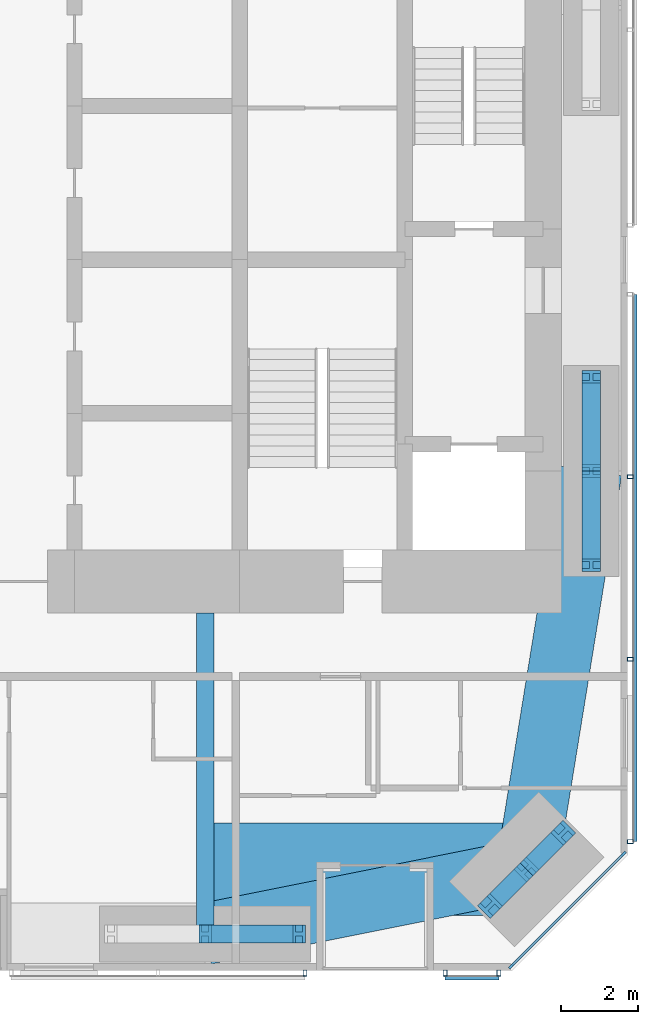
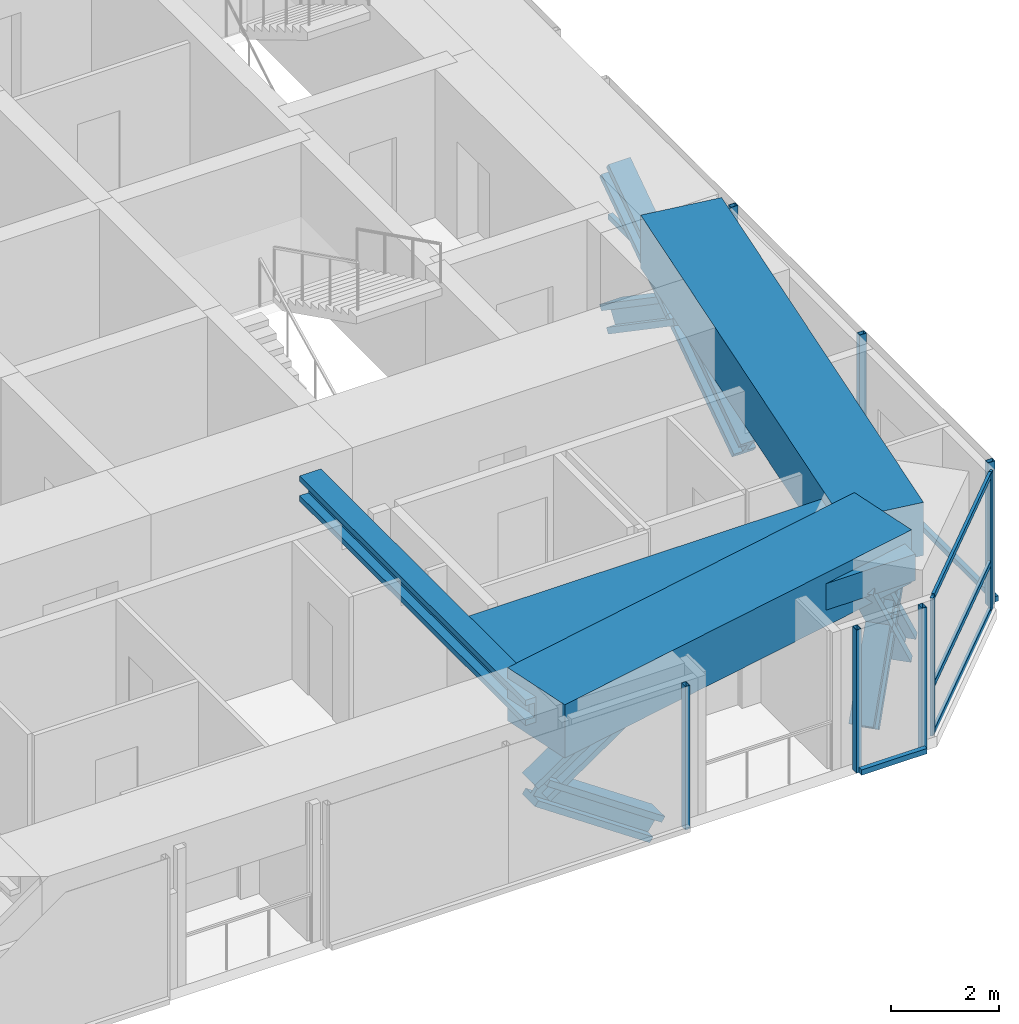
# One storey, part 9 of 24: 23 members, 4 beams, 4 elements without a shape of their own.
"""IFC4 building model written with IfcOpenShell, lengths in metres."""

from ifc_helpers import new_model, si_unit, direction, frame, origin, origin_2d, place, context, subcontext, project, spatial, rectangle, hollow_rectangle, i_section, extrude, material, material_profile, profile_set, type_object, element, aggregate, save


model = new_model("IFC4")

# Units and contexts
model_context = context("Model", 3, precision=1e-05, world=origin(), true_north=direction((0.0, 1.0)))
body_context = subcontext(model_context, "Body", "Model", "MODEL_VIEW")
ifc_project = project(units=[si_unit("LENGTHUNIT", "METRE"), si_unit("AREAUNIT", "SQUARE_METRE"), si_unit("VOLUMEUNIT", "CUBIC_METRE"), si_unit("PLANEANGLEUNIT", "RADIAN"), si_unit("MASSUNIT", "GRAM", prefix="KILO")], contexts=[model_context])

# Site, building, storey
site_placement = place(None, origin())
site = spatial("IfcSite", under=ifc_project, at=site_placement, CompositionType="ELEMENT")
building_placement = place(site_placement, origin())
building = spatial("IfcBuilding", under=site, at=building_placement, Name="Jalousie Tower", CompositionType="ELEMENT")
storey_placement = place(building_placement, frame((0.0, 0.0, 57.85009765625)))
storey = spatial("IfcBuildingStorey", under=building, at=storey_placement, Name="L15", CompositionType="ELEMENT", Elevation=57.85009765625)

# Curtain wall, members
ifc_material_1 = material(Name="Aluminium curtain wall", Category="aluminium")
curtain_wall_type_1 = type_object("IfcCurtainWallType", Name="CORNER WINDOW WALL", PredefinedType="USERDEFINED", material=ifc_material_1)
curtain_wall_1_placement = place(storey_placement, origin())
curtain_wall_1 = element("IfcCurtainWall", 1, at=curtain_wall_1_placement, inside=storey, type_object=curtain_wall_type_1, Name="Corner Window Wall L15 2", ObjectType="CORNER WINDOW WALL", PredefinedType="USERDEFINED")
ifc_material_2 = material(Name="Aluminium mullion", Category="aluminium")
ifc_material_profile_1 = material_profile(ifc_material_2, rectangle(XDim=0.06005859375, YDim=0.14990234375, at=origin_2d()), Name="MULLION 60x150")
ifc_profile_set_1 = profile_set([ifc_material_profile_1], Name="Aluminium mullion")
member_type_1 = type_object("IfcMemberType", Name="CORNER WINDOW WALL MULLION", PredefinedType="MULLION", material=ifc_profile_set_1)
member_1_placement = place(storey_placement, frame((42.969970703125, 0.108642578125, 0.0), z_axis=(0.0, 0.0, 1.0), x_axis=(-0.707106781187, 0.707106781187, 0.0)))
member_1 = element("IfcMember", 2, at=member_1_placement, type_object=member_type_1, Name="CW-C mullion 1", PredefinedType="MULLION", context=body_context, shape_type="SweptSolid", body=[
    extrude(rectangle(XDim=0.06005859375, YDim=0.14990234375, at=origin_2d()), origin(), (0.0, 0.0, 1.0), 3.10986328125),
])
member_2_placement = place(storey_placement, frame((45.891357421875, 3.030029296875, 0.0), z_axis=(0.0, 0.0, 1.0), x_axis=(-0.707106781187, 0.707106781187, 0.0)))
member_2 = element("IfcMember", 3, at=member_2_placement, type_object=member_type_1, Name="CW-C mullion 2", PredefinedType="MULLION", context=body_context, shape_type="SweptSolid", body=[
    extrude(rectangle(XDim=0.06005859375, YDim=0.14990234375, at=origin_2d()), origin(), (0.0, 0.0, 1.0), 3.10986328125),
])
ifc_material_3 = material(Name="Aluminium transom", Category="aluminium")
ifc_material_profile_2 = material_profile(ifc_material_3, rectangle(XDim=0.06005859375, YDim=0.1201171875, at=origin_2d()), Name="TRANSOM 60x120")
ifc_profile_set_2 = profile_set([ifc_material_profile_2], Name="Aluminium transom")
member_type_2 = type_object("IfcMemberType", Name="CORNER WINDOW WALL TRANSOM", PredefinedType="USERDEFINED", material=ifc_profile_set_2)
member_3_placement = place(storey_placement, frame((42.9912109375, 0.1298828125, 0.02978515625), z_axis=(0.707106781187, 0.707106781187, 0.0), x_axis=(-0.707106781187, 0.707106781187, 0.0)))
member_3 = element("IfcMember", 4, at=member_3_placement, type_object=member_type_2, Name="CW-C transom 1.1", ObjectType="TRANSOM", PredefinedType="USERDEFINED", context=body_context, shape_type="SweptSolid", body=[
    extrude(rectangle(XDim=0.06005859375, YDim=0.1201171875, at=origin_2d()), origin(), (0.0, 0.0, 1.0), 4.0712890625),
])
member_4_placement = place(storey_placement, frame((42.9912109375, 0.1298828125, 1.099853515625), z_axis=(0.707106781187, 0.707106781187, 0.0), x_axis=(-0.707106781187, 0.707106781187, 0.0)))
member_4 = element("IfcMember", 5, at=member_4_placement, type_object=member_type_2, Name="CW-C transom 1.2", ObjectType="TRANSOM", PredefinedType="USERDEFINED", context=body_context, shape_type="SweptSolid", body=[
    extrude(rectangle(XDim=0.06005859375, YDim=0.1201171875, at=origin_2d()), origin(), (0.0, 0.0, 1.0), 4.0712890625),
])
member_5_placement = place(storey_placement, frame((42.9912109375, 0.1298828125, 3.079833984375), z_axis=(0.707106781187, 0.707106781187, 0.0), x_axis=(-0.707106781187, 0.707106781187, 0.0)))
member_5 = element("IfcMember", 6, at=member_5_placement, type_object=member_type_2, Name="CW-C transom 1.3", ObjectType="TRANSOM", PredefinedType="USERDEFINED", context=body_context, shape_type="SweptSolid", body=[
    extrude(rectangle(XDim=0.06005859375, YDim=0.1201171875, at=origin_2d()), origin(), (0.0, 0.0, 1.0), 4.0712890625),
])
aggregate(curtain_wall_1, [member_1, member_2, member_3, member_4, member_5])

# Beam
ifc_material_4 = material(Name="Steel ASTM A992 Grade 50", Category="steel")
ifc_material_profile_3 = material_profile(ifc_material_4, i_section(OverallWidth=0.45458984375, OverallDepth=0.569091796875, WebThickness=0.077880859375, FlangeThickness=0.124755859375, at=origin_2d()), Name="W14X730")
ifc_profile_set_3 = profile_set([ifc_material_profile_3], Name="Steel ASTM A992 Grade 50")
beam_type_1 = type_object("IfcBeamType", Name="LEAN COLLECTOR W14X730", PredefinedType="BEAM", material=ifc_profile_set_3)
beam_1_placement = place(storey_placement, frame((35.0, 0.949951171875, 2.825439453125), z_axis=(0.0, 1.0, 0.0), x_axis=(-1.0, 0.0, 0.0)))
element("IfcBeam", 7, at=beam_1_placement, inside=storey, type_object=beam_type_1, Name="Lean collector under L16", PredefinedType="BEAM", context=body_context, shape_type="SweptSolid", body=[
    extrude(i_section(OverallWidth=0.45458984375, OverallDepth=0.569091796875, WebThickness=0.077880859375, FlangeThickness=0.124755859375, at=origin_2d()), origin(), (0.0, 0.0, 1.0), 8.35009765625),
])

# Members
ifc_material_5 = material(Name="Steel ASTM A992 Grade 50", Category="steel")
ifc_material_profile_4 = material_profile(ifc_material_5, i_section(OverallWidth=0.472412109375, OverallDepth=0.5791015625, WebThickness=0.094970703125, FlangeThickness=0.1298828125, at=origin_2d()), Name="W14X808")
ifc_profile_set_4 = profile_set([ifc_material_profile_4], Name="Steel ASTM A992 Grade 50")
member_type_3 = type_object("IfcMemberType", Name="PERIMETER BRACE W14X808", PredefinedType="BRACE", material=ifc_profile_set_4)
for number, where, z_axis, x_axis, name in (
    (8, (35.0, 0.949951171875, 1.074951171875), (0.825500916831, 0.0, 0.564400776321), (0.0, 1.0, 0.0), "Perimeter brace 04 L15 part 2"),
    (9, (37.449951171875, 0.949951171875, -0.60009765625), (-0.825500916831, 0.0, 0.564400776321), (0.0, -1.0, 0.0), "Perimeter brace 04 L15 part 3"),
):
    element("IfcMember", number, at=place(storey_placement, frame(where, z_axis=z_axis, x_axis=x_axis)), inside=storey, type_object=member_type_3, Name=name, PredefinedType="BRACE", context=body_context, shape_type="SweptSolid", body=[
        extrude(i_section(OverallWidth=0.472412109375, OverallDepth=0.5791015625, WebThickness=0.094970703125, FlangeThickness=0.1298828125, at=origin_2d()), origin(), (0.0, 0.0, 1.0), 2.9677734375),
    ])
for number, where, z_axis, x_axis, name in (
    (10, (42.4140625, 1.6767578125, -0.60009765625), (0.443718327034, 0.443718327034, 0.778606506849), (-0.707106781187, 0.707106781187, 0.0), "Perimeter brace 05 L15 part 1"),
    (11, (43.36865234375, 2.63134765625, 1.074951171875), (0.443718327034, 0.443718327034, 0.778606506849), (-0.707106781187, 0.707106781187, 0.0), "Perimeter brace 05 L15 part 2"),
    (12, (44.3232421875, 3.5859375, -0.60009765625), (-0.443718327034, -0.443718327034, 0.778606506849), (0.707106781187, -0.707106781187, 0.0), "Perimeter brace 05 L15 part 3"),
    (13, (43.36865234375, 2.63134765625, 1.074951171875), (-0.443718327034, -0.443718327034, 0.778606506849), (0.707106781187, -0.707106781187, 0.0), "Perimeter brace 05 L15 part 4"),
):
    element("IfcMember", number, at=place(storey_placement, frame(where, z_axis=z_axis, x_axis=x_axis)), inside=storey, type_object=member_type_3, Name=name, PredefinedType="BRACE", context=body_context, shape_type="SweptSolid", body=[
        extrude(i_section(OverallWidth=0.472412109375, OverallDepth=0.5791015625, WebThickness=0.094970703125, FlangeThickness=0.1298828125, at=origin_2d()), origin(), (0.0, 0.0, 1.0), 2.1513671875),
    ])
for number, where, z_axis, x_axis, name in (
    (14, (45.050048828125, 10.550048828125, -0.60009765625), (0.0, 0.825500916831, 0.564400776321), (-1.0, 0.0, 0.0), "Perimeter brace 06 L15 part 1"),
    (15, (45.050048828125, 13.0, 1.074951171875), (0.0, 0.825500916831, 0.564400776321), (-1.0, 0.0, 0.0), "Perimeter brace 06 L15 part 2"),
    (16, (45.050048828125, 15.449951171875, -0.60009765625), (0.0, -0.825500916831, 0.564400776321), (1.0, 0.0, 0.0), "Perimeter brace 06 L15 part 3"),
    (17, (45.050048828125, 13.0, 1.074951171875), (0.0, -0.825500916831, 0.564400776321), (1.0, 0.0, 0.0), "Perimeter brace 06 L15 part 4"),
):
    element("IfcMember", number, at=place(storey_placement, frame(where, z_axis=z_axis, x_axis=x_axis)), inside=storey, type_object=member_type_3, Name=name, PredefinedType="BRACE", context=body_context, shape_type="SweptSolid", body=[
        extrude(i_section(OverallWidth=0.472412109375, OverallDepth=0.5791015625, WebThickness=0.094970703125, FlangeThickness=0.1298828125, at=origin_2d()), origin(), (0.0, 0.0, 1.0), 2.9677734375),
    ])

# Beams
ifc_material_6 = material(Name="Concrete f'c 40 MPa", Category="concrete")
ifc_material_profile_5 = material_profile(ifc_material_6, rectangle(XDim=1.60009765625, YDim=1.199951171875, at=origin_2d()), Name="RC 1600x1200")
ifc_profile_set_5 = profile_set([ifc_material_profile_5], Name="Concrete f'c 40 MPa")
beam_type_2 = type_object("IfcBeamType", Name="RC BEAM 1600x1200", PredefinedType="BEAM", material=ifc_profile_set_5)
beam_2_placement = place(storey_placement, frame((35.0, 0.949951171875, 2.75), z_axis=(0.980407585444, 0.196979609107, 0.0), x_axis=(-0.196979609107, 0.980407585444, 0.0)))
element("IfcBeam", 18, at=beam_2_placement, inside=storey, type_object=beam_type_2, Name="Edge band beam 04-05 under L16", PredefinedType="BEAM", context=body_context, shape_type="SweptSolid", body=[
    extrude(rectangle(XDim=1.60009765625, YDim=1.199951171875, at=origin_2d()), origin(), (0.0, 0.0, 1.0), 8.535888671875),
])
beam_3_placement = place(storey_placement, frame((43.36865234375, 2.63134765625, 2.75), z_axis=(0.160070546476, 0.987105577003, 0.0), x_axis=(-0.987105577003, 0.160070546476, 0.0)))
element("IfcBeam", 19, at=beam_3_placement, inside=storey, type_object=beam_type_2, Name="Edge band beam 05-06 under L16", PredefinedType="BEAM", context=body_context, shape_type="SweptSolid", body=[
    extrude(rectangle(XDim=1.60009765625, YDim=1.199951171875, at=origin_2d()), origin(), (0.0, 0.0, 1.0), 10.504150390625),
])
ifc_material_7 = material(Name="Concrete f'c 40 MPa", Category="concrete")
ifc_material_profile_6 = material_profile(ifc_material_7, rectangle(XDim=2.39990234375, YDim=0.60009765625, at=origin_2d()), Name="RC 2400x600")
ifc_profile_set_6 = profile_set([ifc_material_profile_6], Name="Concrete f'c 40 MPa")
beam_type_3 = type_object("IfcBeamType", Name="RC BEAM 2400x600", PredefinedType="BEAM", material=ifc_profile_set_6)
beam_4_placement = place(storey_placement, frame((43.36865234375, 2.63134765625, 2.809814453125), z_axis=(-1.0, 0.0, 0.0), x_axis=(0.0, -1.0, 0.0)))
element("IfcBeam", 20, at=beam_4_placement, inside=storey, type_object=beam_type_3, Name="Floor band beam under L16", PredefinedType="BEAM", context=body_context, shape_type="SweptSolid", body=[
    extrude(rectangle(XDim=2.39990234375, YDim=0.60009765625, at=origin_2d()), origin(), (0.0, 0.0, 1.0), 8.36865234375),
])

# Curtain wall, member
ifc_material_8 = material(Name="Perforated aluminium sheet", Category="aluminium")
curtain_wall_type_2 = type_object("IfcCurtainWallType", Name="SOLAR SCREEN SS-1", PredefinedType="USERDEFINED", material=ifc_material_8)
curtain_wall_2_placement = place(storey_placement, origin())
curtain_wall_2 = element("IfcCurtainWall", 21, at=curtain_wall_2_placement, inside=storey, type_object=curtain_wall_type_2, Name="Solar screen L15", ObjectType="SOLAR SCREEN SS-1", PredefinedType="USERDEFINED")
ifc_material_9 = material(Name="Steel ASTM A500 Grade C", Category="steel")
ifc_material_profile_7 = material_profile(ifc_material_9, hollow_rectangle(XDim=0.1015625, YDim=0.15234375, WallThickness=0.00634765625, at=origin_2d()), Name="HSS6X4X1/4")
ifc_profile_set_7 = profile_set([ifc_material_profile_7], Name="Steel ASTM A500 Grade C")
member_type_4 = type_object("IfcMemberType", Name="SOLAR SCREEN SS-1 MULLION", PredefinedType="MULLION", material=ifc_profile_set_7)
member_6_placement = place(storey_placement, frame((37.60009765625, -0.0712890625, -0.1201171875), z_axis=(0.0, 0.0, 1.0), x_axis=(1.0, 0.0, 0.0)))
member_6 = element("IfcMember", 22, at=member_6_placement, type_object=member_type_4, Name="SS1 post 3", PredefinedType="MULLION", context=body_context, shape_type="SweptSolid", body=[
    extrude(hollow_rectangle(XDim=0.1015625, YDim=0.15234375, WallThickness=0.00634765625, at=origin_2d()), origin(), (0.0, 0.0, 1.0), 3.22998046875),
])
aggregate(curtain_wall_2, [member_6])

# Curtain wall, members
curtain_wall_3_placement = place(storey_placement, origin())
curtain_wall_3 = element("IfcCurtainWall", 23, at=curtain_wall_3_placement, inside=storey, type_object=curtain_wall_type_2, Name="Solar screen L15", ObjectType="SOLAR SCREEN SS-1", PredefinedType="USERDEFINED")
member_7_placement = place(storey_placement, frame((41.25, -0.0712890625, -0.1201171875), z_axis=(0.0, 0.0, 1.0), x_axis=(1.0, 0.0, 0.0)))
member_7 = element("IfcMember", 24, at=member_7_placement, type_object=member_type_4, Name="SS1 post 1", PredefinedType="MULLION", context=body_context, shape_type="SweptSolid", body=[
    extrude(hollow_rectangle(XDim=0.1015625, YDim=0.15234375, WallThickness=0.00634765625, at=origin_2d()), origin(), (0.0, 0.0, 1.0), 3.22998046875),
])
member_8_placement = place(storey_placement, frame((42.648681640625, -0.0712890625, -0.1201171875), z_axis=(0.0, 0.0, 1.0), x_axis=(1.0, 0.0, 0.0)))
member_8 = element("IfcMember", 25, at=member_8_placement, type_object=member_type_4, Name="SS1 post 2", PredefinedType="MULLION", context=body_context, shape_type="SweptSolid", body=[
    extrude(hollow_rectangle(XDim=0.1015625, YDim=0.15234375, WallThickness=0.00634765625, at=origin_2d()), origin(), (0.0, 0.0, 1.0), 3.22998046875),
])

curtain_wall_4_placement = place(storey_placement, origin())
curtain_wall_4 = element("IfcCurtainWall", 26, at=curtain_wall_4_placement, inside=storey, type_object=curtain_wall_type_2, Name="Solar screen L15", ObjectType="SOLAR SCREEN SS-1", PredefinedType="USERDEFINED")
member_9_placement = place(storey_placement, frame((46.0712890625, 3.351318359375, -0.1201171875), z_axis=(0.0, 0.0, 1.0), x_axis=(0.0, 1.0, 0.0)))
member_9 = element("IfcMember", 27, at=member_9_placement, type_object=member_type_4, Name="SS1 post 1", PredefinedType="MULLION", context=body_context, shape_type="SweptSolid", body=[
    extrude(hollow_rectangle(XDim=0.1015625, YDim=0.15234375, WallThickness=0.00634765625, at=origin_2d()), origin(), (0.0, 0.0, 1.0), 3.22998046875),
])
member_10_placement = place(storey_placement, frame((46.0712890625, 8.100830078125, -0.1201171875), z_axis=(0.0, 0.0, 1.0), x_axis=(0.0, 1.0, 0.0)))
member_10 = element("IfcMember", 28, at=member_10_placement, type_object=member_type_4, Name="SS1 post 2", PredefinedType="MULLION", context=body_context, shape_type="SweptSolid", body=[
    extrude(hollow_rectangle(XDim=0.1015625, YDim=0.15234375, WallThickness=0.00634765625, at=origin_2d()), origin(), (0.0, 0.0, 1.0), 3.22998046875),
])
member_11_placement = place(storey_placement, frame((46.0712890625, 12.850341796875, -0.1201171875), z_axis=(0.0, 0.0, 1.0), x_axis=(0.0, 1.0, 0.0)))
member_11 = element("IfcMember", 29, at=member_11_placement, type_object=member_type_4, Name="SS1 post 3", PredefinedType="MULLION", context=body_context, shape_type="SweptSolid", body=[
    extrude(hollow_rectangle(XDim=0.1015625, YDim=0.15234375, WallThickness=0.00634765625, at=origin_2d()), origin(), (0.0, 0.0, 1.0), 3.22998046875),
])

# Member
ifc_material_10 = material(Name="Extruded aluminium screen rail", Category="aluminium")
ifc_material_profile_8 = material_profile(ifc_material_10, rectangle(XDim=0.1015625, YDim=0.1201171875, at=origin_2d()), Name="RAIL 102x120")
ifc_profile_set_8 = profile_set([ifc_material_profile_8], Name="Extruded aluminium screen rail")
member_type_5 = type_object("IfcMemberType", Name="SOLAR SCREEN SS-1 TRANSOM", PredefinedType="USERDEFINED", material=ifc_profile_set_8)
member_12_placement = place(storey_placement, frame((41.25, -0.1982421875, -0.06005859375), z_axis=(1.0, 0.0, 0.0), x_axis=(0.0, 1.0, 0.0)))
member_12 = element("IfcMember", 30, at=member_12_placement, type_object=member_type_5, Name="SS1 rail", ObjectType="TRANSOM", PredefinedType="USERDEFINED", context=body_context, shape_type="SweptSolid", body=[
    extrude(rectangle(XDim=0.1015625, YDim=0.1201171875, at=origin_2d()), origin(), (0.0, 0.0, 1.0), 1.398681640625),
])

aggregate(curtain_wall_3, [member_7, member_8, member_12])

member_13_placement = place(storey_placement, frame((46.1982421875, 3.351318359375, -0.06005859375), z_axis=(0.0, 1.0, 0.0), x_axis=(-1.0, 0.0, 0.0)))
member_13 = element("IfcMember", 31, at=member_13_placement, type_object=member_type_5, Name="SS1 rail", ObjectType="TRANSOM", PredefinedType="USERDEFINED", context=body_context, shape_type="SweptSolid", body=[
    extrude(rectangle(XDim=0.1015625, YDim=0.1201171875, at=origin_2d()), origin(), (0.0, 0.0, 1.0), 14.248779296875),
])

aggregate(curtain_wall_4, [member_9, member_10, member_11, member_13])

save(model, "model.ifc")
